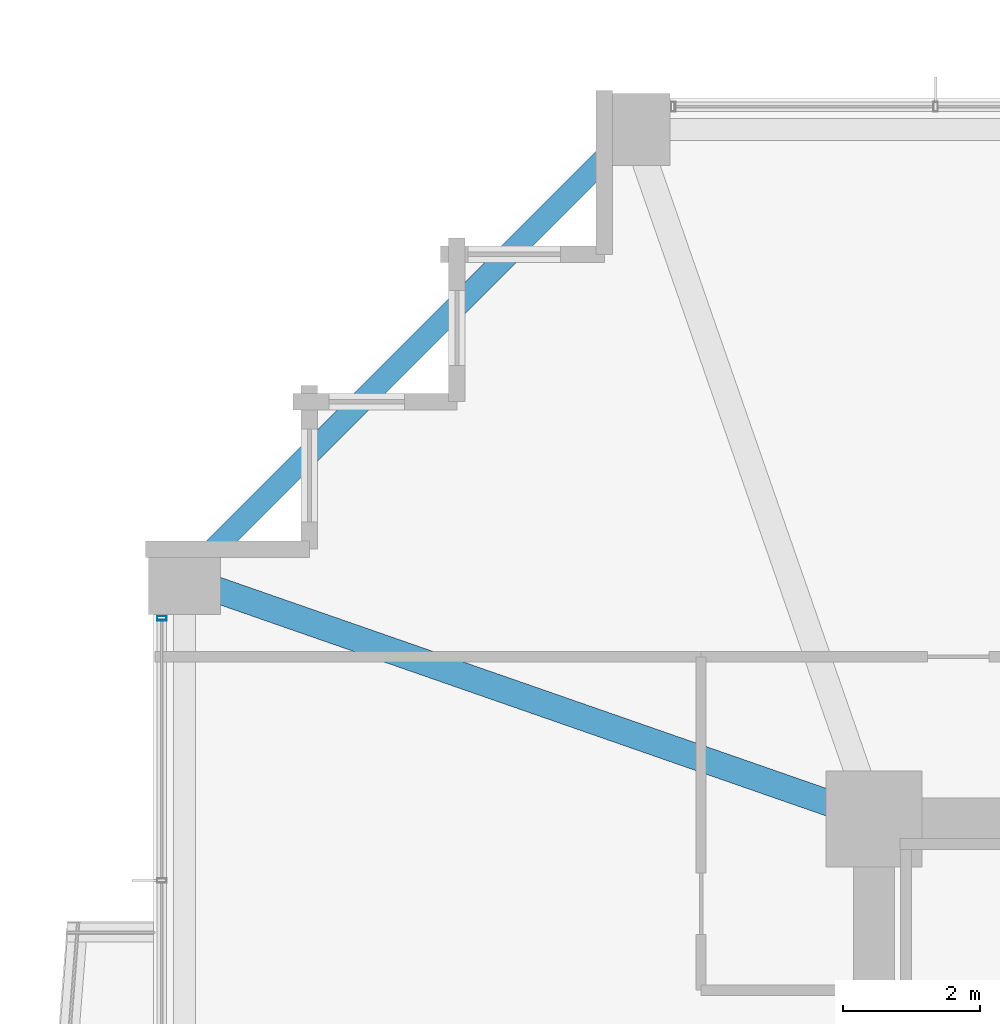
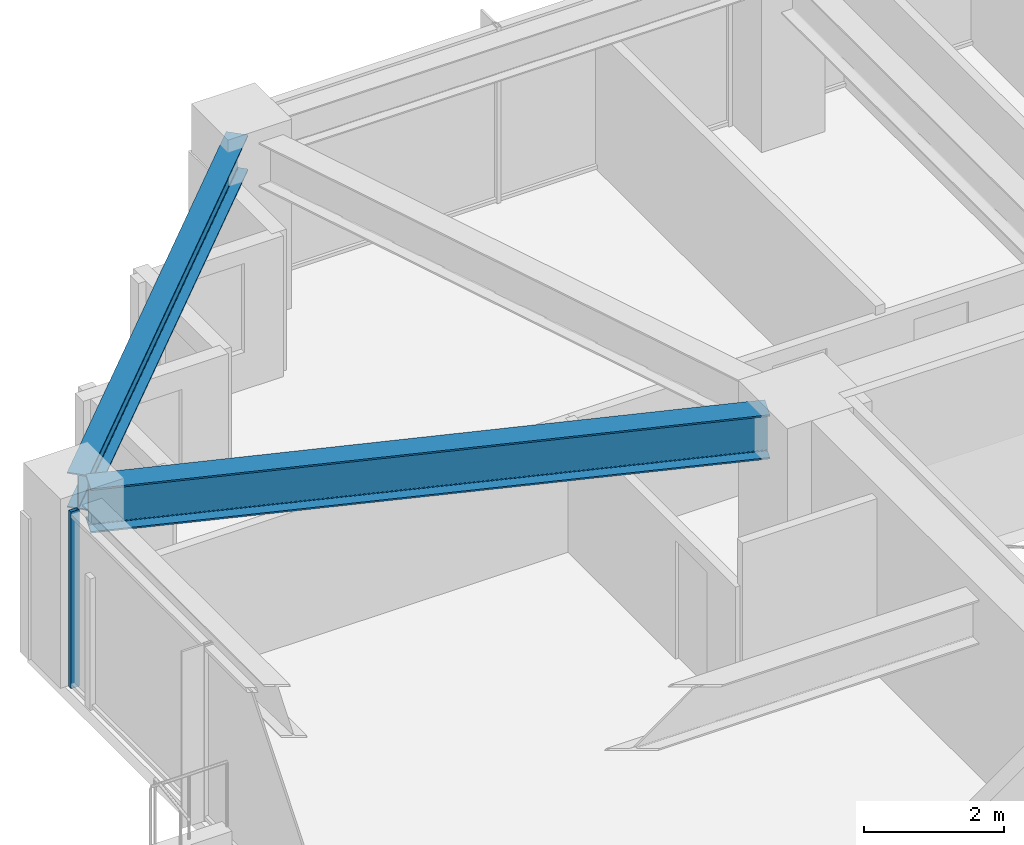
# One storey, part 18 of 37: 2 beams, 1 member, 1 element without a shape of its own.
"""IFC4 building model written with IfcOpenShell, lengths in metres."""

from ifc_helpers import new_model, si_unit, direction, frame, origin, origin_2d, place, context, subcontext, project, spatial, hollow_rectangle, i_section, extrude, material, material_profile, profile_set, type_object, element, aggregate, save


model = new_model("IFC4")

# Units and contexts
model_context = context("Model", 3, precision=1e-05, world=origin(), true_north=direction((0.0, 1.0)))
body_context = subcontext(model_context, "Body", "Model", "MODEL_VIEW")
ifc_project = project(units=[si_unit("LENGTHUNIT", "METRE"), si_unit("AREAUNIT", "SQUARE_METRE"), si_unit("VOLUMEUNIT", "CUBIC_METRE"), si_unit("PLANEANGLEUNIT", "RADIAN"), si_unit("MASSUNIT", "GRAM", prefix="KILO")], contexts=[model_context])

# Site, building, storey
site_placement = place(None, origin())
site = spatial("IfcSite", under=ifc_project, at=site_placement, CompositionType="ELEMENT")
building_placement = place(site_placement, origin())
building = spatial("IfcBuilding", under=site, at=building_placement, Name="Kolvaren Belvedere", CompositionType="ELEMENT")
storey_placement = place(building_placement, frame((0.0, 0.0, 75.5)))
storey = spatial("IfcBuildingStorey", under=building, at=storey_placement, Name="L21", CompositionType="ELEMENT", Elevation=75.5)

# Beams
ifc_material_1 = material(Name="Structural steel ASTM A992 Grade 50", Category="steel")
ifc_material_profile_1 = material_profile(ifc_material_1, i_section(OverallWidth=0.381103515625, OverallDepth=0.77294921875, WebThickness=0.0166015625, FlangeThickness=0.027099609375, FilletRadius=0.02392578125, at=origin_2d()), Name="W30X173")
ifc_profile_set_1 = profile_set([ifc_material_profile_1], Name="Structural steel ASTM A992 Grade 50")
beam_type_1 = type_object("IfcBeamType", Name="BM-GIRD-W30X173", PredefinedType="BEAM", material=ifc_profile_set_1)
beam_1_placement = place(storey_placement, frame((-10.41943359375, 10.080810546875, 2.693603515625), z_axis=(-0.944371408538, 0.328880894453, 0.0), x_axis=(-0.328880894453, -0.944371408538, 0.0)))
element("IfcBeam", 1, at=beam_1_placement, inside=storey, type_object=beam_type_1, Name="L21 Corner Core-to-Perimeter Girder CC4-W4", PredefinedType="BEAM", context=body_context, shape_type="SweptSolid", body=[
    extrude(i_section(OverallWidth=0.381103515625, OverallDepth=0.77294921875, WebThickness=0.0166015625, FlangeThickness=0.027099609375, FilletRadius=0.02392578125, at=origin_2d()), origin(), (0.0, 0.0, 1.0), 9.882080078125),
])
ifc_material_2 = material(Name="Structural steel ASTM A992 Grade 50", Category="steel")
ifc_material_profile_2 = material_profile(ifc_material_2, i_section(OverallWidth=0.324951171875, OverallDepth=0.615966796875, WebThickness=0.013916015625, FlangeThickness=0.021484375, FilletRadius=0.02001953125, at=origin_2d()), Name="W24X117")
ifc_profile_set_2 = profile_set([ifc_material_profile_2], Name="Structural steel ASTM A992 Grade 50")
beam_type_2 = type_object("IfcBeamType", Name="BM-SPAN-W24X117", PredefinedType="SPANDREL", material=ifc_profile_set_2)
beam_2_placement = place(storey_placement, frame((-13.567138671875, 19.782958984375, 2.77197265625), z_axis=(-0.707106781187, -0.707106781187, 0.0), x_axis=(0.707106781187, -0.707106781187, 0.0)))
element("IfcBeam", 2, at=beam_2_placement, inside=storey, type_object=beam_type_2, Name="L21 Perimeter Spandrel N1-W4", PredefinedType="SPANDREL", context=body_context, shape_type="SweptSolid", body=[
    extrude(i_section(OverallWidth=0.324951171875, OverallDepth=0.615966796875, WebThickness=0.013916015625, FlangeThickness=0.021484375, FilletRadius=0.02001953125, at=origin_2d()), origin(), (0.0, 0.0, 1.0), 8.79052734375),
])

# Curtain wall, member
ifc_material_3 = material(Name="Anodised pale-metal aluminium AA 6063-T6", Category="aluminium")
curtain_wall_type = type_object("IfcCurtainWallType", Name="CW-Z2-MID", PredefinedType="NOTDEFINED", material=ifc_material_3)
curtain_wall_placement = place(storey_placement, origin())
curtain_wall = element("IfcCurtainWall", 3, at=curtain_wall_placement, inside=storey, type_object=curtain_wall_type, Name="L21 Unitised Curtain Wall FCW-L21-W2-B2", PredefinedType="NOTDEFINED")
ifc_material_4 = material(Name="Anodised pale-metal aluminium AA 6063-T6", Category="aluminium")
ifc_material_profile_3 = material_profile(ifc_material_4, hollow_rectangle(XDim=0.06494140625, YDim=0.139892578125, WallThickness=0.00390625, at=origin_2d()), Name="ALU-MUL-140X65")
ifc_profile_set_3 = profile_set([ifc_material_profile_3], Name="Anodised pale-metal aluminium AA 6063-T6")
member_type = type_object("IfcMemberType", Name="CW-MUL-140", PredefinedType="MULLION", material=ifc_profile_set_3)
member_placement = place(storey_placement, frame((-20.280029296875, 12.822509765625, 0.0), z_axis=(0.0, 0.0, 1.0), x_axis=(0.0, 1.0, 0.0)))
member = element("IfcMember", 4, at=member_placement, type_object=member_type, Name="FCW-L21-W2-B2 Unitised Mullion 3", PredefinedType="MULLION", context=body_context, shape_type="SweptSolid", body=[
    extrude(hollow_rectangle(XDim=0.06494140625, YDim=0.139892578125, WallThickness=0.00390625, at=origin_2d()), origin(), (0.0, 0.0, 1.0), 3.080078125),
])
aggregate(curtain_wall, [member])

save(model, "model.ifc")
